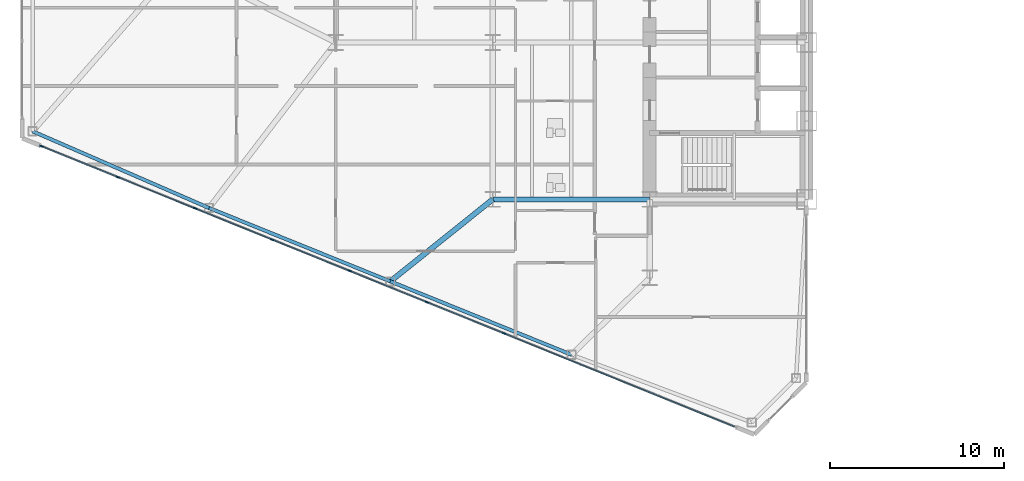
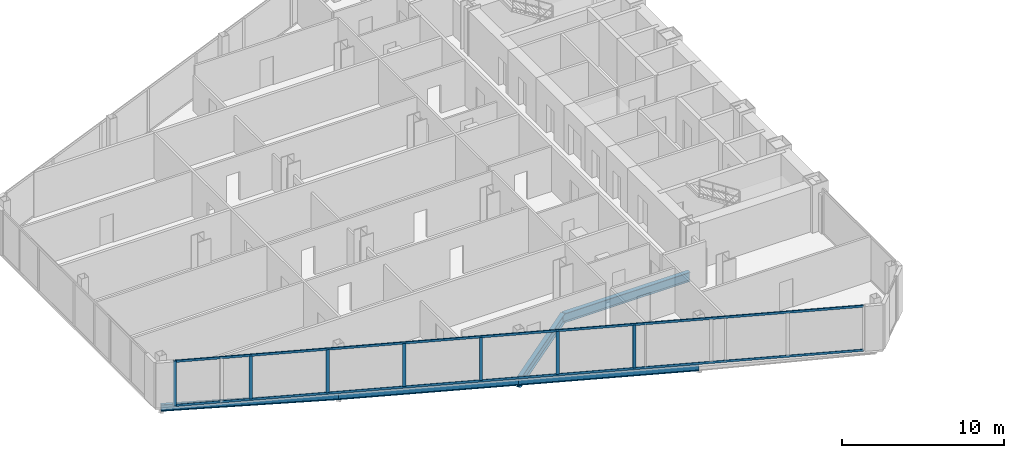
# One storey, part 3 of 25: 9 members, 5 beams, 1 element without a shape of its own.
"""IFC4 building model written with IfcOpenShell, lengths in metres."""

import ifcopenshell
import ifcopenshell.guid

model = None  # the IFC model being written
_history = None  # IfcOwnerHistory: only IFC2X3 demands one
_inside = {}  # id of a spatial element -> (the spatial element, [elements in it])
_under = {}  # id of a project, library or spatial element -> (it, [spatial elements below it])
_declared = {}  # id of a project -> (the project, [libraries it declares])
_typed = {}  # id of a type object -> (the type object, [elements of that type])
_made_of = {}  # id of a material, layer set ... -> (it, [elements and type objects made of it])


def new_model(schema):
    """Start an empty IFC model of exactly this schema.

    Asked for "IFC4X3", IfcOpenShell would pick the latest addendum, in which some entities
    have other attributes; the version numbers below select the first issue.
    IFC2X3 requires an IfcOwnerHistory on every rooted entity: one is made here for all.
    """
    global model, _history
    if schema == "IFC4X3":
        model = ifcopenshell.file(schema_version=(4, 3, 0, 0))
    else:
        model = ifcopenshell.file(schema=schema)
    _inside.clear()
    _under.clear()
    _declared.clear()
    _typed.clear()
    _made_of.clear()
    _history = None
    if model.schema == "IFC2X3":
        org = make("IfcOrganization", Name="unknown")
        user = make(
            "IfcPersonAndOrganization",
            ThePerson=make("IfcPerson", FamilyName="unknown"),
            TheOrganization=org,
        )
        app = make(
            "IfcApplication",
            ApplicationDeveloper=org,
            Version="unknown",
            ApplicationFullName="unknown",
            ApplicationIdentifier="unknown",
        )
        _history = make(
            "IfcOwnerHistory",
            OwningUser=user,
            OwningApplication=app,
            ChangeAction="ADDED",
            CreationDate=0,
        )
    return model


def make(cls, **values):
    """One entity of the class cls with the attributes given. An attribute that is None is left unset."""
    return model.create_entity(
        cls, **{name: value for name, value in values.items() if value is not None}
    )


def rooted(cls, **values):
    """An entity with a GlobalId (a new one), such as an element, a storey or a relation."""
    return make(cls, GlobalId=ifcopenshell.guid.new(), OwnerHistory=_history, **values)


def si_unit(unit_type, name, prefix=None):
    """IfcSIUnit, for example si_unit("LENGTHUNIT", "METRE", prefix="MILLI")."""
    return make("IfcSIUnit", UnitType=unit_type, Prefix=prefix, Name=name)


def assignment(units):
    """IfcUnitAssignment: the units of a project."""
    return None if units is None else make("IfcUnitAssignment", Units=units)


def point(xyz):
    """IfcCartesianPoint."""
    return None if xyz is None else make("IfcCartesianPoint", Coordinates=xyz)


def direction(xyz):
    """IfcDirection."""
    return None if xyz is None else make("IfcDirection", DirectionRatios=xyz)


def frame(location, z_axis=None, x_axis=None):
    """IfcAxis2Placement3D, a coordinate frame: its origin and axes. An axis left out is left unset."""
    return make(
        "IfcAxis2Placement3D",
        Location=point(location),
        Axis=direction(z_axis),
        RefDirection=direction(x_axis),
    )


def frame_2d(location, x_axis=None):
    """IfcAxis2Placement2D, a coordinate frame in the plane: its origin and x axis."""
    return make(
        "IfcAxis2Placement2D", Location=point(location), RefDirection=direction(x_axis)
    )


def origin():
    """The frame at (0, 0, 0) with its axes left unset."""
    return frame((0.0, 0.0, 0.0))


def origin_2d():
    """The frame at (0, 0) in the plane with its x axis left unset."""
    return frame_2d((0.0, 0.0))


def place(relative_to, where):
    """IfcLocalPlacement: puts the frame where relative to a parent placement (None: the world)."""
    return make(
        "IfcLocalPlacement", PlacementRelTo=relative_to, RelativePlacement=where
    )


def context(
    kind, dimensions, precision=None, world=None, true_north=None, identifier=None
):
    """IfcGeometricRepresentationContext, for example the 3D "Model" context."""
    return make(
        "IfcGeometricRepresentationContext",
        ContextIdentifier=identifier,
        ContextType=kind,
        CoordinateSpaceDimension=dimensions,
        Precision=precision,
        WorldCoordinateSystem=world,
        TrueNorth=true_north,
    )


def subcontext(parent, identifier, kind, view, scale=None):
    """IfcGeometricRepresentationSubContext, for example "Body" below "Model"."""
    return make(
        "IfcGeometricRepresentationSubContext",
        ContextIdentifier=identifier,
        ContextType=kind,
        ParentContext=parent,
        TargetScale=scale,
        TargetView=view,
    )


def project(units=None, contexts=None):
    """IfcProject with its units and contexts."""
    return rooted(
        "IfcProject",
        Name="project",
        RepresentationContexts=contexts,
        UnitsInContext=assignment(units),
    )


def spatial(cls, under=None, at=None, **own):
    """A site, building, storey or space (cls), placed at a placement, below another one or the project."""
    s = rooted(cls, ObjectPlacement=at, **own)
    if under is not None:
        _under.setdefault(under.id(), (under, []))[1].append(s)
    return s


def profile(cls, at=None, kind="AREA", **sizes):
    """A parametric profile (cls). Its sizes go by their IFC names, for example OverallWidth=200.0."""
    return make(cls, ProfileType=kind, Position=at, **sizes)


def rectangle(**sizes):
    """IfcRectangleProfileDef."""
    return profile("IfcRectangleProfileDef", **sizes)


def i_section(**sizes):
    """IfcIShapeProfileDef."""
    return profile("IfcIShapeProfileDef", **sizes)


def extrude(swept, where, along, depth):
    """IfcExtrudedAreaSolid: the profile swept, set in the frame where, extruded along a direction by depth."""
    return make(
        "IfcExtrudedAreaSolid",
        SweptArea=swept,
        Position=where,
        ExtrudedDirection=direction(along),
        Depth=depth,
    )


def shape(context_of_items, identifier, shape_type, items):
    """IfcShapeRepresentation: the items that make up one representation, for example the "Body"."""
    return make(
        "IfcShapeRepresentation",
        ContextOfItems=context_of_items,
        RepresentationIdentifier=identifier,
        RepresentationType=shape_type,
        Items=items,
    )


def source(mapping_origin, context_of_items, identifier, shape_type, items):
    """IfcRepresentationMap: a shape defined once, which mapped items show again and again."""
    return make(
        "IfcRepresentationMap",
        MappingOrigin=mapping_origin,
        MappedRepresentation=shape(context_of_items, identifier, shape_type, items),
    )


def transform(
    local_origin,
    x_axis=None,
    y_axis=None,
    z_axis=None,
    scale=None,
    scale2=None,
    scale3=None,
    uniform=True,
):
    """IfcCartesianTransformationOperator3D, or its non-uniform kind. x_axis, y_axis, z_axis: its Axis1, 2, 3."""
    if uniform:
        return make(
            "IfcCartesianTransformationOperator3D",
            Axis1=direction(x_axis),
            Axis2=direction(y_axis),
            LocalOrigin=point(local_origin),
            Scale=scale,
            Axis3=direction(z_axis),
        )
    return make(
        "IfcCartesianTransformationOperator3DnonUniform",
        Axis1=direction(x_axis),
        Axis2=direction(y_axis),
        LocalOrigin=point(local_origin),
        Scale=scale,
        Axis3=direction(z_axis),
        Scale2=scale2,
        Scale3=scale3,
    )


def mapped(mapping_source, mapping_target):
    """IfcMappedItem: shows the shape of a source again, moved by a transform."""
    return make(
        "IfcMappedItem", MappingSource=mapping_source, MappingTarget=mapping_target
    )


def material(Name=None, Category=None):
    """IfcMaterial."""
    return make("IfcMaterial", Name=Name, Category=Category)


def layer(
    of_material, thickness, ventilated=None, Name=None, Category=None, Priority=None
):
    """IfcMaterialLayer: one layer of a wall or slab, of a material (None: an air gap)."""
    return make(
        "IfcMaterialLayer",
        Material=of_material,
        LayerThickness=thickness,
        IsVentilated=ventilated,
        Name=Name,
        Category=Category,
        Priority=Priority,
    )


def layer_set(layers, Name=None):
    """IfcMaterialLayerSet."""
    return make("IfcMaterialLayerSet", MaterialLayers=layers, LayerSetName=Name)


def material_profile(
    of_material, cross_section, Name=None, Category=None, Priority=None
):
    """IfcMaterialProfile: a cross section and its material."""
    return make(
        "IfcMaterialProfile",
        Name=Name,
        Material=of_material,
        Profile=cross_section,
        Priority=Priority,
        Category=Category,
    )


def profile_set(profiles, Name=None, composite=None):
    """IfcMaterialProfileSet."""
    return make(
        "IfcMaterialProfileSet",
        Name=Name,
        MaterialProfiles=profiles,
        CompositeProfile=composite,
    )


def made_of(thing, what):
    """Note that an element or type object is made of a material, layer set ...; save() writes the relation."""
    if what is not None:
        _made_of.setdefault(what.id(), (what, []))[1].append(thing)
    return thing


def type_object(cls, material=None, **own):
    """A type object (cls), such as IfcWallType, which elements share."""
    return made_of(rooted(cls, **own), material)


def type_shapes(of_type, sources):
    """Give a type object the sources (RepresentationMaps) that its elements show as mapped items."""
    of_type.RepresentationMaps = sources


def element(
    cls,
    number,
    at=None,
    inside=None,
    cuts=None,
    type_object=None,
    material=None,
    context=None,
    identifier="Body",
    shape_type=None,
    held_by="IfcProductDefinitionShape",
    body=None,
    shapes=None,
    **own,
):
    """One element of the class cls, such as IfcWall. Its Tag is "e" and its number.

    at: its placement. inside: the storey or other place that contains it. cuts: it is an
    opening in that element (IfcRelVoidsElement). A single representation is given by context,
    identifier, shape_type and body (its items); several are given by shapes. held_by: the class
    of the entity that holds the representations. save() writes the other relations.
    """
    e = rooted(cls, Tag="e%d" % number, ObjectPlacement=at, **own)
    if body is not None:
        shapes = [shape(context, identifier, shape_type, body)]
    if shapes is not None:
        e.Representation = make(held_by, Representations=shapes)
    if inside is not None:
        _inside.setdefault(inside.id(), (inside, []))[1].append(e)
    if cuts is not None:
        rooted(
            "IfcRelVoidsElement", RelatingBuildingElement=cuts, RelatedOpeningElement=e
        )
    if type_object is not None:
        _typed.setdefault(type_object.id(), (type_object, []))[1].append(e)
    return made_of(e, material)


def aggregate(whole, parts):
    """IfcRelAggregates: a whole, such as a stair, and the parts it consists of."""
    return rooted("IfcRelAggregates", RelatingObject=whole, RelatedObjects=parts)


def save(model, path):
    """Write the relations noted so far, then the file.

    IfcRelAggregates (storeys below a building ...), IfcRelContainedInSpatialStructure (elements
    in a storey), IfcRelDefinesByType, IfcRelAssociatesMaterial and IfcRelDeclares: one each for
    every whole, place, type object, material and project.
    """
    for whole, parts in _under.values():
        aggregate(whole, parts)
    for where, things in _inside.values():
        rooted(
            "IfcRelContainedInSpatialStructure",
            RelatedElements=things,
            RelatingStructure=where,
        )
    for kind, things in _typed.values():
        rooted("IfcRelDefinesByType", RelatedObjects=things, RelatingType=kind)
    for what, things in _made_of.values():
        rooted("IfcRelAssociatesMaterial", RelatedObjects=things, RelatingMaterial=what)
    for by, libraries in _declared.values():
        rooted("IfcRelDeclares", RelatingContext=by, RelatedDefinitions=libraries)
    model.write(path)


model = new_model("IFC4")

# Units and contexts
model_context = context("Model", 3, precision=1e-05, world=origin(), true_north=direction((0.0, 1.0)))
body_context = subcontext(model_context, "Body", "Model", "MODEL_VIEW")
ifc_project = project(units=[si_unit("LENGTHUNIT", "METRE"), si_unit("AREAUNIT", "SQUARE_METRE"), si_unit("VOLUMEUNIT", "CUBIC_METRE"), si_unit("PLANEANGLEUNIT", "RADIAN"), si_unit("MASSUNIT", "GRAM", prefix="KILO")], contexts=[model_context])

# Site, building, storey
site_placement = place(None, origin())
site = spatial("IfcSite", under=ifc_project, at=site_placement, CompositionType="ELEMENT")
building_placement = place(site_placement, origin())
building = spatial("IfcBuilding", under=site, at=building_placement, Name="Seokmaru Belvedere", CompositionType="ELEMENT")
storey_placement = place(building_placement, frame((0.0, 0.0, 26.10009765625)))
storey = spatial("IfcBuildingStorey", under=building, at=storey_placement, Name="L06", CompositionType="ELEMENT", Elevation=26.10009765625)

# Beams
ifc_material_1 = material(Name="Steel SM355 (355 MPa)", Category="steel")
ifc_material_profile_1 = material_profile(ifc_material_1, i_section(OverallWidth=0.300048828125, OverallDepth=0.699951171875, WebThickness=0.012939453125, FlangeThickness=0.02392578125, at=origin_2d()), Name="H-700x300x13x24")
ifc_profile_set_1 = profile_set([ifc_material_profile_1], Name="Steel SM355 (355 MPa)")
beam_type_1 = type_object("IfcBeamType", Name="Primary Floor Girder H-700", PredefinedType="BEAM", material=ifc_profile_set_1)
shared_shape_1 = source(origin(), body_context, "Body", "SweptSolid", [
    extrude(i_section(OverallWidth=0.300048828125, OverallDepth=0.699951171875, WebThickness=0.012939453125, FlangeThickness=0.02392578125, at=origin_2d()), origin(), (0.0, 0.0, 1.0), 9.0),
])
beam_1_placement = place(storey_placement, frame((-45.5, -13.5, -0.570068359375), z_axis=(1.0, 0.0, 0.0), x_axis=(0.0, 1.0, 0.0)))
element("IfcBeam", 1, at=beam_1_placement, inside=storey, type_object=beam_type_1, Name="L06 W Wing Primary Girder 1", PredefinedType="BEAM", context=body_context, shape_type="MappedRepresentation", body=[
    mapped(shared_shape_1, transform((0.0, 0.0, 0.0), scale=1.0)),
])
ifc_material_profile_2 = material_profile(ifc_material_1, i_section(OverallWidth=0.199951171875, OverallDepth=0.5, WebThickness=0.010009765625, FlangeThickness=0.01611328125, at=origin_2d()), Name="H-500x200x10x16")
ifc_profile_set_2 = profile_set([ifc_material_profile_2], Name="Steel SM355 (355 MPa)")
beam_type_2 = type_object("IfcBeamType", Name="Perimeter Spandrel Beam H-500", PredefinedType="SPANDREL", material=ifc_profile_set_2)
shared_shape_2 = source(origin(), body_context, "Body", "SweptSolid", [
    extrude(i_section(OverallWidth=0.199951171875, OverallDepth=0.5, WebThickness=0.010009765625, FlangeThickness=0.01611328125, at=origin_2d()), origin(), (0.0, 0.0, 1.0), 11.220703125),
])
for number, where, z_axis, x_axis, name in (
    (2, (-40.977294921875, -22.4140625, -0.47021484375), (-0.926944290816, 0.375198989503, 0.0), (-0.375198989503, -0.926944290816, 0.0), "L06 W Faceted Flank Spandrel S-2"),
    (3, (-51.378173828125, -18.2041015625, -0.47021484375), (-0.926944290816, 0.375198989503, 0.0), (-0.375198989503, -0.926944290816, 0.0), "L06 W Faceted Flank Spandrel S-3"),
):
    element("IfcBeam", number, at=place(storey_placement, frame(where, z_axis=z_axis, x_axis=x_axis)), inside=storey, type_object=beam_type_2, Name=name, PredefinedType="SPANDREL", context=body_context, shape_type="MappedRepresentation", body=[
        mapped(shared_shape_2, transform((0.0, 0.0, 0.0), scale=1.0)),
    ])
shared_shape_3 = source(origin(), body_context, "Body", "SweptSolid", [
    extrude(i_section(OverallWidth=0.199951171875, OverallDepth=0.5, WebThickness=0.010009765625, FlangeThickness=0.01611328125, at=origin_2d()), origin(), (0.0, 0.0, 1.0), 11.035400390625),
])
type_shapes(beam_type_2, [shared_shape_2, shared_shape_3])
beam_2_placement = place(storey_placement, frame((-61.779052734375, -13.994140625, -0.47021484375), z_axis=(-0.917134058682, 0.398578873507, 0.0), x_axis=(-0.398578873507, -0.917134058682, 0.0)))
element("IfcBeam", 4, at=beam_2_placement, inside=storey, type_object=beam_type_2, Name="L06 W Faceted Flank Spandrel S-4", PredefinedType="SPANDREL", context=body_context, shape_type="MappedRepresentation", body=[
    mapped(shared_shape_3, transform((0.0, 0.0, 0.0), scale=1.0)),
])
shared_shape_4 = source(origin(), body_context, "Body", "SweptSolid", [
    extrude(i_section(OverallWidth=0.300048828125, OverallDepth=0.699951171875, WebThickness=0.012939453125, FlangeThickness=0.02392578125, at=origin_2d()), origin(), (0.0, 0.0, 1.0), 7.52880859375),
])
type_shapes(beam_type_1, [shared_shape_1, shared_shape_4])
beam_3_placement = place(storey_placement, frame((-51.378173828125, -18.2041015625, -0.570068359375), z_axis=(0.780767560736, 0.624821587418, 0.0), x_axis=(-0.624821587418, 0.780767560736, 0.0)))
element("IfcBeam", 5, at=beam_3_placement, inside=storey, type_object=beam_type_1, Name="L06 W Flank Radial Floor Girder S-2", PredefinedType="BEAM", context=body_context, shape_type="MappedRepresentation", body=[
    mapped(shared_shape_4, transform((0.0, 0.0, 0.0), scale=1.0)),
])

# Curtain wall, members
ifc_material_2 = material(Name="Bronze Triple Insulating Glass", Category="glass")
ifc_layer = layer(ifc_material_2, 0.2099609375)
ifc_layer_set = layer_set([ifc_layer], Name="Bronze Triple Insulating Glass")
curtain_wall_type = type_object("IfcCurtainWallType", Name="Low-Rise Faceted Crystal Curtain Wall System CW-2", PredefinedType="NOTDEFINED", material=ifc_layer_set)
curtain_wall_placement = place(storey_placement, origin())
curtain_wall = element("IfcCurtainWall", 6, at=curtain_wall_placement, inside=storey, type_object=curtain_wall_type, Name="L06 Curtain Wall WF5", PredefinedType="NOTDEFINED")
ifc_material_3 = material(Name="Anodised Bronze Aluminium", Category="aluminium")
ifc_material_profile_3 = material_profile(ifc_material_3, rectangle(XDim=0.074951171875, YDim=0.2099609375, at=origin_2d()), Name="CW-M-75x210")
ifc_profile_set_3 = profile_set([ifc_material_profile_3], Name="Anodised Bronze Aluminium")
member_type_1 = type_object("IfcMemberType", Name="Bronze Unitised Mullion 75x210", PredefinedType="MULLION", material=ifc_profile_set_3)
shared_shape_5 = source(origin(), body_context, "Body", "SweptSolid", [
    extrude(rectangle(XDim=0.074951171875, YDim=0.2099609375, at=origin_2d()), origin(), (0.0, 0.0, 1.0), 3.239990234375),
])
member_1_placement = place(storey_placement, frame((-67.004150390625, -12.224609375, 0.06982421875), z_axis=(0.0, 0.0, 1.0), x_axis=(0.375192321888, 0.926946989637, 0.0)))
member_1 = element("IfcMember", 7, at=member_1_placement, type_object=member_type_1, Name="CW:L06:WF5 Mullion 2", PredefinedType="MULLION", context=body_context, shape_type="MappedRepresentation", body=[
    mapped(shared_shape_5, transform((0.0, 0.0, 0.0), scale=1.0)),
])
member_2_placement = place(storey_placement, frame((-62.574462890625, -14.017578125, 0.06982421875), z_axis=(0.0, 0.0, 1.0), x_axis=(0.375192321888, 0.926946989637, 0.0)))
member_2 = element("IfcMember", 8, at=member_2_placement, type_object=member_type_1, Name="CW:L06:WF5 Mullion 3", PredefinedType="MULLION", context=body_context, shape_type="MappedRepresentation", body=[
    mapped(shared_shape_5, transform((0.0, 0.0, 0.0), scale=1.0)),
])
member_3_placement = place(storey_placement, frame((-58.144775390625, -15.810546875, 0.06982421875), z_axis=(0.0, 0.0, 1.0), x_axis=(0.375192321888, 0.926946989637, 0.0)))
member_3 = element("IfcMember", 9, at=member_3_placement, type_object=member_type_1, Name="CW:L06:WF5 Mullion 4", PredefinedType="MULLION", context=body_context, shape_type="MappedRepresentation", body=[
    mapped(shared_shape_5, transform((0.0, 0.0, 0.0), scale=1.0)),
])
member_4_placement = place(storey_placement, frame((-53.71484375, -17.603515625, 0.06982421875), z_axis=(0.0, 0.0, 1.0), x_axis=(0.375192321888, 0.926946989637, 0.0)))
member_4 = element("IfcMember", 10, at=member_4_placement, type_object=member_type_1, Name="CW:L06:WF5 Mullion 5", PredefinedType="MULLION", context=body_context, shape_type="MappedRepresentation", body=[
    mapped(shared_shape_5, transform((0.0, 0.0, 0.0), scale=1.0)),
])
member_5_placement = place(storey_placement, frame((-49.28515625, -19.396484375, 0.06982421875), z_axis=(0.0, 0.0, 1.0), x_axis=(0.375192321888, 0.926946989637, 0.0)))
member_5 = element("IfcMember", 11, at=member_5_placement, type_object=member_type_1, Name="CW:L06:WF5 Mullion 6", PredefinedType="MULLION", context=body_context, shape_type="MappedRepresentation", body=[
    mapped(shared_shape_5, transform((0.0, 0.0, 0.0), scale=1.0)),
])
member_6_placement = place(storey_placement, frame((-44.855224609375, -21.189453125, 0.06982421875), z_axis=(0.0, 0.0, 1.0), x_axis=(0.375192321888, 0.926946989637, 0.0)))
member_6 = element("IfcMember", 12, at=member_6_placement, type_object=member_type_1, Name="CW:L06:WF5 Mullion 7", PredefinedType="MULLION", context=body_context, shape_type="MappedRepresentation", body=[
    mapped(shared_shape_5, transform((0.0, 0.0, 0.0), scale=1.0)),
])
ifc_material_profile_4 = material_profile(ifc_material_3, rectangle(XDim=0.070068359375, YDim=0.1650390625, at=origin_2d()), Name="CW-T-70x165")
ifc_profile_set_4 = profile_set([ifc_material_profile_4], Name="Anodised Bronze Aluminium")
member_type_2 = type_object("IfcMemberType", Name="Bronze Unitised Transom 70x165", PredefinedType="USERDEFINED", material=ifc_profile_set_4)
shared_shape_6 = source(origin(), body_context, "Body", "SweptSolid", [
    extrude(rectangle(XDim=0.070068359375, YDim=0.1650390625, at=origin_2d()), origin(), (0.0, 0.0, 1.0), 42.860107421875),
])
type_shapes(member_type_2, [shared_shape_6])
member_7_placement = place(storey_placement, frame((-71.364501953125, -10.459716796875, 0.034912109375), z_axis=(0.926948605599, -0.375188329481, 0.0), x_axis=(0.375188329481, 0.926948605599, 0.0)))
member_7 = element("IfcMember", 13, at=member_7_placement, type_object=member_type_2, Name="CW:L06:WF5 Continuous Transom 1", ObjectType="TRANSOM", PredefinedType="USERDEFINED", context=body_context, shape_type="MappedRepresentation", body=[
    mapped(shared_shape_6, transform((0.0, 0.0, 0.0), scale=1.0)),
])
member_8_placement = place(storey_placement, frame((-71.364501953125, -10.459716796875, 3.344970703125), z_axis=(0.926948605599, -0.375188329481, 0.0), x_axis=(0.375188329481, 0.926948605599, 0.0)))
member_8 = element("IfcMember", 14, at=member_8_placement, type_object=member_type_2, Name="CW:L06:WF5 Continuous Transom 2", ObjectType="TRANSOM", PredefinedType="USERDEFINED", context=body_context, shape_type="MappedRepresentation", body=[
    mapped(shared_shape_6, transform((0.0, 0.0, 0.0), scale=1.0)),
])
shared_shape_7 = source(origin(), body_context, "Body", "SweptSolid", [
    extrude(rectangle(XDim=0.074951171875, YDim=0.2099609375, at=origin_2d()), origin(), (0.0, 0.0, 1.0), 3.3798828125),
])
type_shapes(member_type_1, [shared_shape_5, shared_shape_7])
member_9_placement = place(storey_placement, frame((-71.399169921875, -10.445556640625, 0.0), z_axis=(0.0, 0.0, 1.0), x_axis=(0.375192321888, 0.926946989637, 0.0)))
member_9 = element("IfcMember", 15, at=member_9_placement, type_object=member_type_1, Name="CW:L06:WF5 Mullion 1", PredefinedType="MULLION", context=body_context, shape_type="MappedRepresentation", body=[
    mapped(shared_shape_7, transform((0.0, 0.0, 0.0), scale=1.0)),
])
aggregate(curtain_wall, [member_9, member_1, member_2, member_3, member_4, member_5, member_6, member_7, member_8])

save(model, "model.ifc")
